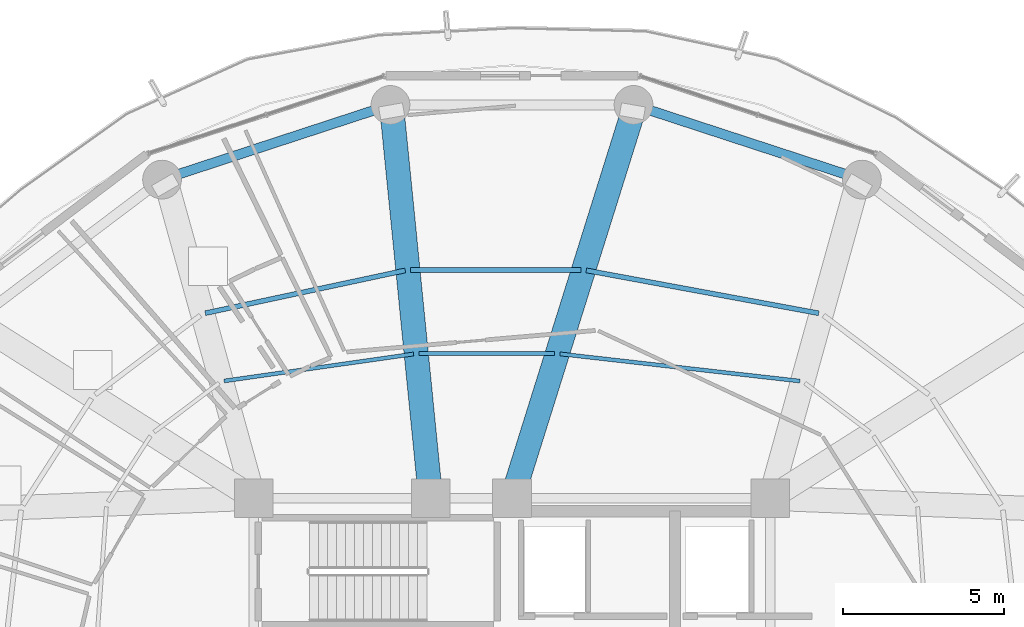
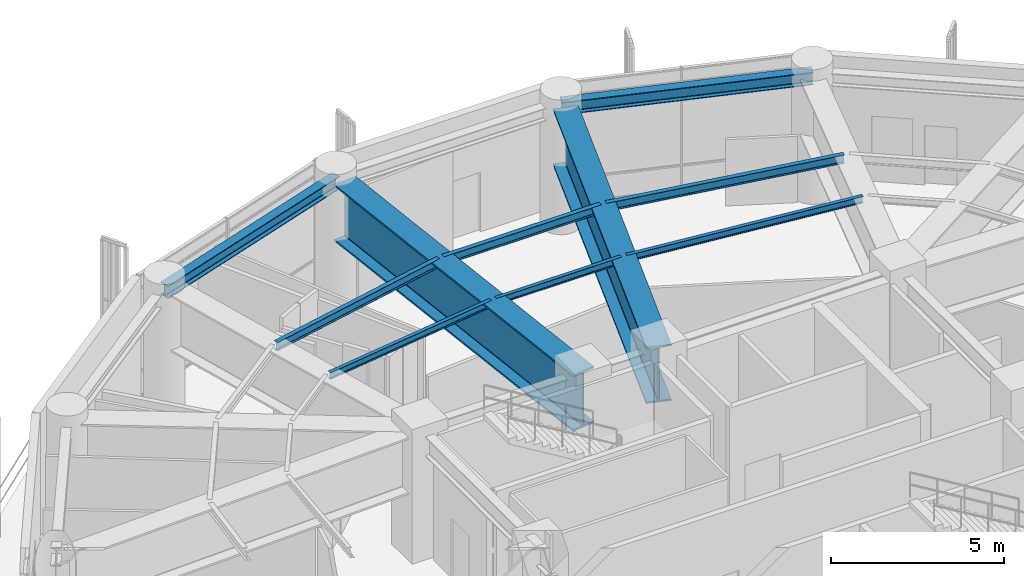
# One storey, part 17 of 28: 10 beams.
"""IFC4 building model written with IfcOpenShell, lengths in metres."""

from ifc_helpers import new_model, si_unit, direction, frame, origin, origin_2d, place, context, subcontext, project, spatial, i_section, extrude, material, material_profile, profile_set, type_object, element, save


model = new_model("IFC4")

# Units and contexts
model_context = context("Model", 3, precision=1e-05, world=origin(), true_north=direction((0.0, 1.0)))
body_context = subcontext(model_context, "Body", "Model", "MODEL_VIEW")
ifc_project = project(units=[si_unit("LENGTHUNIT", "METRE"), si_unit("AREAUNIT", "SQUARE_METRE"), si_unit("VOLUMEUNIT", "CUBIC_METRE"), si_unit("PLANEANGLEUNIT", "RADIAN"), si_unit("MASSUNIT", "GRAM", prefix="KILO")], contexts=[model_context])

# Site, building, storey
site_placement = place(None, origin())
site = spatial("IfcSite", under=ifc_project, at=site_placement, CompositionType="ELEMENT")
building_placement = place(site_placement, origin())
building = spatial("IfcBuilding", under=site, at=building_placement, Name="Kelanora Arch Commons", CompositionType="ELEMENT")
storey_placement = place(building_placement, frame((0.0, 0.0, 184.35009765625)))
storey = spatial("IfcBuildingStorey", under=building, at=storey_placement, Name="L47", CompositionType="ELEMENT", Elevation=184.35009765625)

# Beams
ifc_material = material(Name="Steel S355", Category="steel")
ifc_material_profile_1 = material_profile(ifc_material, i_section(OverallWidth=0.14990234375, OverallDepth=0.300048828125, WebThickness=0.007080078125, FlangeThickness=0.0107421875, FilletRadius=0.014892578125, at=origin_2d()), Name="IPE300")
ifc_profile_set_1 = profile_set([ifc_material_profile_1], Name="Steel S355")
beam_type_1 = type_object("IfcBeamType", Name="BM-JST-01", PredefinedType="JOIST", material=ifc_profile_set_1)
beam_1_placement = place(storey_placement, frame((83.50048828125, 70.729736328125, 4.2099609375), z_axis=(-0.983389964671, 0.181505309519, 0.0), x_axis=(-0.181505309519, -0.983389964671, 0.0)))
element("IfcBeam", 1, at=beam_1_placement, inside=storey, type_object=beam_type_1, Name="Secondary Chord Joist BJB-06 L47", PredefinedType="JOIST", context=body_context, shape_type="SweptSolid", body=[
    extrude(i_section(OverallWidth=0.14990234375, OverallDepth=0.300048828125, WebThickness=0.007080078125, FlangeThickness=0.0107421875, FilletRadius=0.014892578125, at=origin_2d()), origin(), (0.0, 0.0, 1.0), 7.3212890625),
])
beam_2_placement = place(storey_placement, frame((76.132080078125, 72.07421875, 4.2099609375), z_axis=(-1.0, 0.0, 0.0), x_axis=(0.0, -1.0, 0.0)))
element("IfcBeam", 2, at=beam_2_placement, inside=storey, type_object=beam_type_1, Name="Secondary Chord Joist BJB-08 L47", PredefinedType="JOIST", context=body_context, shape_type="SweptSolid", body=[
    extrude(i_section(OverallWidth=0.14990234375, OverallDepth=0.300048828125, WebThickness=0.007080078125, FlangeThickness=0.0107421875, FilletRadius=0.014892578125, at=origin_2d()), origin(), (0.0, 0.0, 1.0), 5.272216796875),
])
beam_3_placement = place(storey_placement, frame((70.69189453125, 72.056396484375, 4.2099609375), z_axis=(-0.977893715981, -0.209102559153, 0.0), x_axis=(0.209102559153, -0.977893715981, 0.0)))
element("IfcBeam", 3, at=beam_3_placement, inside=storey, type_object=beam_type_1, Name="Secondary Chord Joist BJB-10 L47", PredefinedType="JOIST", context=body_context, shape_type="SweptSolid", body=[
    extrude(i_section(OverallWidth=0.14990234375, OverallDepth=0.300048828125, WebThickness=0.007080078125, FlangeThickness=0.0107421875, FilletRadius=0.014892578125, at=origin_2d()), origin(), (0.0, 0.0, 1.0), 6.332763671875),
])
ifc_material_profile_2 = material_profile(ifc_material, i_section(OverallWidth=0.1201171875, OverallDepth=0.239990234375, WebThickness=0.006103515625, FlangeThickness=0.009765625, FilletRadius=0.014892578125, at=origin_2d()), Name="IPE240")
ifc_profile_set_2 = profile_set([ifc_material_profile_2], Name="Steel S355")
beam_type_2 = type_object("IfcBeamType", Name="BM-JST-02", PredefinedType="JOIST", material=ifc_profile_set_2)
beam_4_placement = place(storey_placement, frame((82.918701171875, 68.628662109375, 4.239990234375), z_axis=(-0.993639672263, 0.11260640171, 0.0), x_axis=(-0.11260640171, -0.993639672263, 0.0)))
element("IfcBeam", 4, at=beam_4_placement, inside=storey, type_object=beam_type_2, Name="Secondary Chord Joist BJA-06 L47", PredefinedType="JOIST", context=body_context, shape_type="SweptSolid", body=[
    extrude(i_section(OverallWidth=0.1201171875, OverallDepth=0.239990234375, WebThickness=0.006103515625, FlangeThickness=0.009765625, FilletRadius=0.014892578125, at=origin_2d()), origin(), (0.0, 0.0, 1.0), 7.477783203125),
])
beam_5_placement = place(storey_placement, frame((75.319091796875, 69.480224609375, 4.239990234375), z_axis=(-1.0, 0.0, 0.0), x_axis=(0.0, -1.0, 0.0)))
element("IfcBeam", 5, at=beam_5_placement, inside=storey, type_object=beam_type_2, Name="Secondary Chord Joist BJA-08 L47", PredefinedType="JOIST", context=body_context, shape_type="SweptSolid", body=[
    extrude(i_section(OverallWidth=0.1201171875, OverallDepth=0.239990234375, WebThickness=0.006103515625, FlangeThickness=0.009765625, FilletRadius=0.014892578125, at=origin_2d()), origin(), (0.0, 0.0, 1.0), 4.20068359375),
])
beam_6_placement = place(storey_placement, frame((70.94921875, 69.46826171875, 4.239990234375), z_axis=(-0.989977480435, -0.141225310164, 0.0), x_axis=(0.141225310164, -0.989977480435, 0.0)))
element("IfcBeam", 6, at=beam_6_placement, inside=storey, type_object=beam_type_2, Name="Secondary Chord Joist BJA-10 L47", PredefinedType="JOIST", context=body_context, shape_type="SweptSolid", body=[
    extrude(i_section(OverallWidth=0.1201171875, OverallDepth=0.239990234375, WebThickness=0.006103515625, FlangeThickness=0.009765625, FilletRadius=0.014892578125, at=origin_2d()), origin(), (0.0, 0.0, 1.0), 5.927734375),
])
ifc_material_profile_3 = material_profile(ifc_material, i_section(OverallWidth=0.300048828125, OverallDepth=0.449951171875, WebThickness=0.013916015625, FlangeThickness=0.02587890625, FilletRadius=0.027099609375, at=origin_2d()), Name="HEB450")
ifc_profile_set_3 = profile_set([ifc_material_profile_3], Name="Steel S355")
beam_type_3 = type_object("IfcBeamType", Name="BM-SPN-Z3", PredefinedType="SPANDREL", material=ifc_profile_set_3)
for number, where, z_axis, x_axis, name in (
    (7, (84.840087890625, 74.8701171875, 4.135009765625), (-0.950461975786, 0.310840847676, 0.0), (-0.310840847676, -0.950461975786, 0.0), "Perimeter Spandrel Beam BS-06 L47"),
    (8, (70.2353515625, 77.18408203125, 4.135009765625), (-0.950461975786, -0.310840847676, 0.0), (0.310840847676, -0.950461975786, 0.0), "Perimeter Spandrel Beam BS-10 L47"),
):
    element("IfcBeam", number, at=place(storey_placement, frame(where, z_axis=z_axis, x_axis=x_axis)), inside=storey, type_object=beam_type_3, Name=name, PredefinedType="SPANDREL", context=body_context, shape_type="SweptSolid", body=[
        extrude(i_section(OverallWidth=0.300048828125, OverallDepth=0.449951171875, WebThickness=0.013916015625, FlangeThickness=0.02587890625, FilletRadius=0.027099609375, at=origin_2d()), origin(), (0.0, 0.0, 1.0), 7.444091796875),
    ])
ifc_material_profile_4 = material_profile(ifc_material, i_section(OverallWidth=0.75, OverallDepth=2.0, WebThickness=0.034912109375, FlangeThickness=0.06005859375, FilletRadius=0.028076171875, at=origin_2d()), Name="PG2000x750")
ifc_profile_set_4 = profile_set([ifc_material_profile_4], Name="Steel S355")
beam_type_4 = type_object("IfcBeamType", Name="BM-XFER-SET", PredefinedType="USERDEFINED", material=ifc_profile_set_4)
beam_7_placement = place(storey_placement, frame((74.0, 65.0, 3.35986328125), z_axis=(0.299080457492, 0.954227897279, 0.0), x_axis=(-0.954227897279, 0.299080457492, 0.0)))
element("IfcBeam", 9, at=beam_7_placement, inside=storey, type_object=beam_type_4, Name="Setback Radial Transfer Girder BRI-08 L47", ObjectType="TRANSFER_GIRDER", PredefinedType="USERDEFINED", context=body_context, shape_type="SweptSolid", body=[
    extrude(i_section(OverallWidth=0.75, OverallDepth=2.0, WebThickness=0.034912109375, FlangeThickness=0.06005859375, FilletRadius=0.028076171875, at=origin_2d()), origin(), (0.0, 0.0, 1.0), 12.35546875),
])
beam_8_placement = place(storey_placement, frame((71.47998046875, 65.0, 3.35986328125), z_axis=(-0.099193615558, 0.995068151753, 0.0), x_axis=(-0.995068151753, -0.099193615558, 0.0)))
element("IfcBeam", 10, at=beam_8_placement, inside=storey, type_object=beam_type_4, Name="Setback Radial Transfer Girder BRI-10 L47", ObjectType="TRANSFER_GIRDER", PredefinedType="USERDEFINED", context=body_context, shape_type="SweptSolid", body=[
    extrude(i_section(OverallWidth=0.75, OverallDepth=2.0, WebThickness=0.034912109375, FlangeThickness=0.06005859375, FilletRadius=0.028076171875, at=origin_2d()), origin(), (0.0, 0.0, 1.0), 11.848388671875),
])

save(model, "model.ifc")
